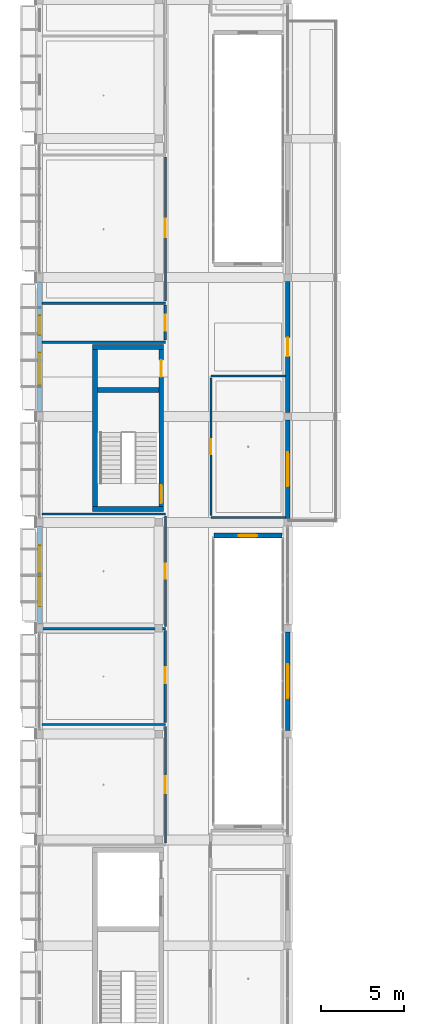
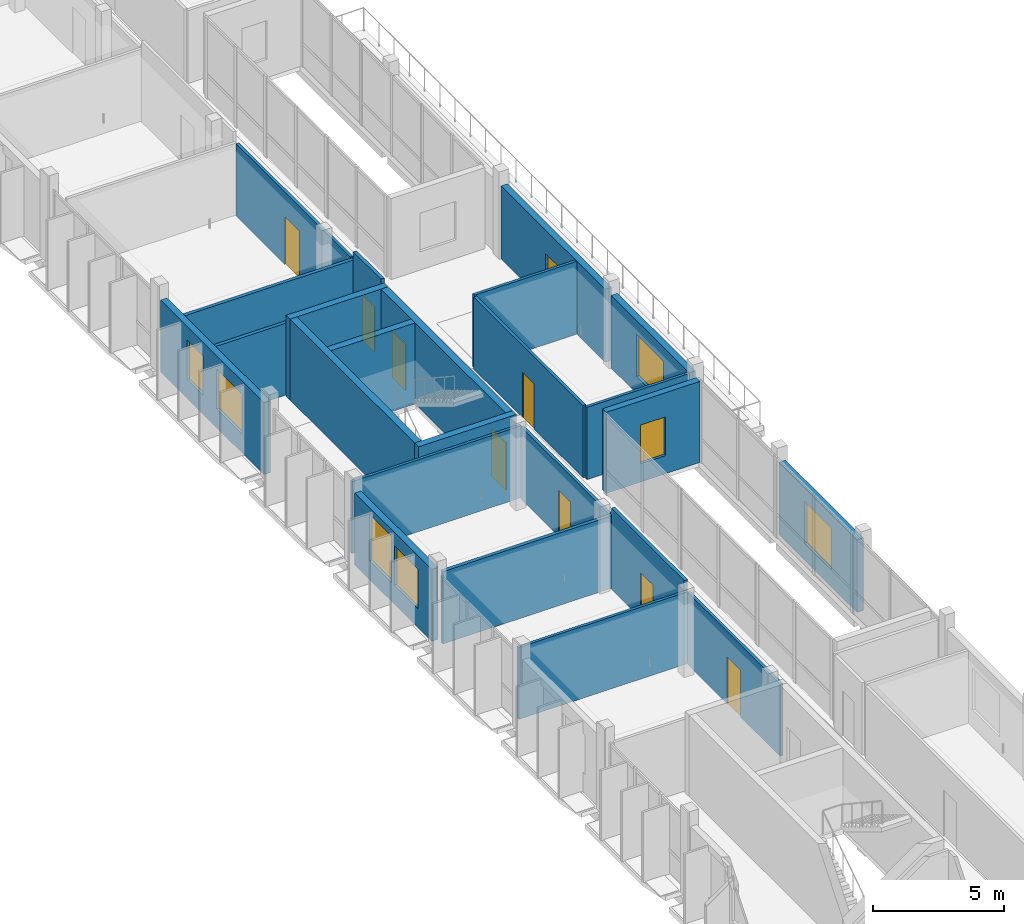
# One storey, part 23 of 48: 24 walls, 9 doors, 7 windows, 16 openings.
"""IFC4 building model written with IfcOpenShell, lengths in metres."""

from ifc_helpers import new_model, si_unit, derived_unit, direction, frame, frame_2d, origin, origin_with_axes, place, context, subcontext, project, spatial, rectangle, extrude, material, layer, layer_set, type_object, element, fill, save


model = new_model("IFC4")

# Units and contexts
model_context = context("Model", 3, precision=1e-05, world=origin(), true_north=direction((0.0, 1.0)))
body_context = subcontext(model_context, "Body", "Model", "MODEL_VIEW")
ifc_project = project(units=[si_unit("LENGTHUNIT", "METRE"), si_unit("AREAUNIT", "SQUARE_METRE"), si_unit("VOLUMEUNIT", "CUBIC_METRE"), si_unit("PLANEANGLEUNIT", "RADIAN"), si_unit("MASSUNIT", "GRAM", prefix="KILO"), derived_unit("THERMALTRANSMITTANCEUNIT", [(si_unit("POWERUNIT", "WATT"), 1), (si_unit("LENGTHUNIT", "METRE"), -2), (si_unit("THERMODYNAMICTEMPERATUREUNIT", "KELVIN"), -1)])], contexts=[model_context])

# Site, building, storey
site_placement = place(None, origin())
site = spatial("IfcSite", under=ifc_project, at=site_placement, CompositionType="ELEMENT")
building_placement = place(site_placement, origin())
building = spatial("IfcBuilding", under=site, at=building_placement, Name="Braskholm Square Health Centre", CompositionType="ELEMENT")
storey_placement = place(building_placement, frame((0.0, 0.0, 17.550048828125)))
storey = spatial("IfcBuildingStorey", under=building, at=storey_placement, Name="L05", CompositionType="ELEMENT", Elevation=17.550048828125)

# Wall, opening, door
ifc_material_1 = material(Name="Acoustic gypsum board partition")
ifc_layer_1 = layer(ifc_material_1, 0.125)
ifc_layer_set_1 = layer_set([ifc_layer_1], Name="Acoustic gypsum board partition")
wall_type_1 = type_object("IfcWallType", Name="ClinicalExamPartition125", PredefinedType="PARTITIONING", material=ifc_layer_set_1)
wall_1_placement = place(storey_placement, frame((11.800048828125, 29.6201171875, 0.0), z_axis=(0.0, 0.0, 1.0), x_axis=(0.0, 1.0, 0.0)))
wall_1 = element("IfcWall", 1, at=wall_1_placement, inside=storey, type_object=wall_type_1, Name="Interior partition PWALL-L05-0207", PredefinedType="PARTITIONING", context=body_context, shape_type="SweptSolid", body=[
    extrude(rectangle(XDim=7.039794921875, YDim=0.125, at=frame_2d((3.52001953125, 0.0))), origin(), (0.0, 0.0, 1.0), 3.364990234375),
])
opening_1_placement = place(wall_1_placement, frame((3.010009765625, 0.0, 0.0)))
opening_1 = element("IfcOpeningElement", 2, at=opening_1_placement, cuts=wall_1, Name="Opening D-25", PredefinedType="OPENING", context=body_context, shape_type="SweptSolid", body=[
    extrude(rectangle(XDim=1.02001953125, YDim=2.179931640625, at=frame_2d((0.510009765625, 1.08984375))), frame((0.0, 0.072509765625, 0.0), z_axis=(0.0, -1.0, 0.0), x_axis=(1.0, 0.0, 0.0)), (0.0, 0.0, 1.0), 0.14501953125),
])
ifc_material_2 = material(Name="Architectural bronze anodised aluminium", Category="aluminium")
door_type_1 = type_object("IfcDoorType", Name="DoorConsultWide1020x2180", OperationType="NOTDEFINED", PredefinedType="DOOR", material=ifc_material_2)
door_1_placement = place(opening_1_placement, origin_with_axes())
door_1 = element("IfcDoor", 3, at=door_1_placement, inside=storey, type_object=door_type_1, Name="Interior door 0096 L05", OperationType="SINGLE_SWING_RIGHT", OverallHeight=2.179931640625, OverallWidth=1.02001953125, PredefinedType="DOOR", context=body_context, shape_type="SweptSolid", body=[
    extrude(rectangle(XDim=1.02001953125, YDim=2.179931640625, at=frame_2d((0.510009765625, 1.08984375))), frame((0.0, 0.02490234375, 0.0), z_axis=(0.0, -1.0, 0.0), x_axis=(1.0, 0.0, 0.0)), (0.0, 0.0, 1.0), 0.050048828125),
])
fill(opening_1, door_1)

# Wall
wall_2_placement = place(storey_placement, frame((4.340087890625, 36.780029296875, 0.0), z_axis=(0.0, 0.0, 1.0), x_axis=(1.0, 0.0, 0.0)))
element("IfcWall", 4, at=wall_2_placement, inside=storey, type_object=wall_type_1, Name="Interior partition PWALL-L05-0208", PredefinedType="PARTITIONING", context=body_context, shape_type="SweptSolid", body=[
    extrude(rectangle(XDim=7.4599609375, YDim=0.125, at=frame_2d((3.72998046875, 0.0))), origin(), (0.0, 0.0, 1.0), 3.344970703125),
])

# Wall, opening, door
wall_3_placement = place(storey_placement, frame((11.800048828125, 42.699951171875, 0.0), z_axis=(0.0, 0.0, 1.0), x_axis=(0.0, 1.0, 0.0)))
wall_3 = element("IfcWall", 5, at=wall_3_placement, inside=storey, type_object=wall_type_1, Name="Interior partition PWALL-L05-0212", PredefinedType="PARTITIONING", context=body_context, shape_type="SweptSolid", body=[
    extrude(rectangle(XDim=6.679931640625, YDim=0.125, at=frame_2d((3.33984375, 0.0))), origin(), (0.0, 0.0, 1.0), 3.364990234375),
])
opening_2_placement = place(wall_3_placement, frame((2.8798828125, 0.0, 0.0)))
opening_2 = element("IfcOpeningElement", 6, at=opening_2_placement, cuts=wall_3, Name="Opening D-01", PredefinedType="OPENING", context=body_context, shape_type="SweptSolid", body=[
    extrude(rectangle(XDim=0.919921875, YDim=2.14990234375, at=frame_2d((0.4599609375, 1.074951171875))), frame((0.0, 0.072509765625, 0.0), z_axis=(0.0, -1.0, 0.0), x_axis=(1.0, 0.0, 0.0)), (0.0, 0.0, 1.0), 0.14501953125),
])
door_type_2 = type_object("IfcDoorType", Name="DoorConsultSingle920x2150", OperationType="NOTDEFINED", PredefinedType="DOOR", material=ifc_material_2)
door_2_placement = place(opening_2_placement, origin_with_axes())
door_2 = element("IfcDoor", 7, at=door_2_placement, inside=storey, type_object=door_type_2, Name="Interior door 0098 L05", OperationType="SINGLE_SWING_RIGHT", OverallHeight=2.14990234375, OverallWidth=0.919921875, PredefinedType="DOOR", context=body_context, shape_type="SweptSolid", body=[
    extrude(rectangle(XDim=0.919921875, YDim=2.14990234375, at=frame_2d((0.4599609375, 1.074951171875))), frame((0.0, 0.02490234375, 0.0), z_axis=(0.0, -1.0, 0.0), x_axis=(1.0, 0.0, 0.0)), (0.0, 0.0, 1.0), 0.050048828125),
])
fill(opening_2, door_2)

# Wall
wall_4_placement = place(storey_placement, frame((4.340087890625, 49.5, 0.0), z_axis=(0.0, 0.0, 1.0), x_axis=(1.0, 0.0, 0.0)))
element("IfcWall", 8, at=wall_4_placement, inside=storey, type_object=wall_type_1, Name="Interior partition PWALL-L05-0213", PredefinedType="PARTITIONING", context=body_context, shape_type="SweptSolid", body=[
    extrude(rectangle(XDim=7.4599609375, YDim=0.125, at=frame_2d((3.72998046875, 0.0))), origin(), (0.0, 0.0, 1.0), 3.344970703125),
])

# Wall, opening, door
wall_5_placement = place(storey_placement, frame((11.800048828125, 62.3701171875, 0.0), z_axis=(0.0, 0.0, 1.0), x_axis=(0.0, 1.0, 0.0)))
wall_5 = element("IfcWall", 9, at=wall_5_placement, inside=storey, type_object=wall_type_1, Name="Interior partition PWALL-L05-0217", PredefinedType="PARTITIONING", context=body_context, shape_type="SweptSolid", body=[
    extrude(rectangle(XDim=8.7099609375, YDim=0.125, at=frame_2d((4.35498046875, 0.0))), origin(), (0.0, 0.0, 1.0), 3.364990234375),
])
opening_3_placement = place(wall_5_placement, frame((3.860107421875, 0.0, 0.0)))
opening_3 = element("IfcOpeningElement", 10, at=opening_3_placement, cuts=wall_5, Name="Opening D-26", PredefinedType="OPENING", context=body_context, shape_type="SweptSolid", body=[
    extrude(rectangle(XDim=1.139892578125, YDim=2.219970703125, at=frame_2d((0.56982421875, 1.10986328125))), frame((0.0, 0.072509765625, 0.0), z_axis=(0.0, -1.0, 0.0), x_axis=(1.0, 0.0, 0.0)), (0.0, 0.0, 1.0), 0.14501953125),
])
door_type_3 = type_object("IfcDoorType", Name="DoorExamWide1140x2220", OperationType="NOTDEFINED", PredefinedType="DOOR", material=ifc_material_2)
door_3_placement = place(opening_3_placement, origin_with_axes())
door_3 = element("IfcDoor", 11, at=door_3_placement, inside=storey, type_object=door_type_3, Name="Interior door 0100 L05", OperationType="SINGLE_SWING_RIGHT", OverallHeight=2.219970703125, OverallWidth=1.139892578125, PredefinedType="DOOR", context=body_context, shape_type="SweptSolid", body=[
    extrude(rectangle(XDim=1.139892578125, YDim=2.219970703125, at=frame_2d((0.56982421875, 1.10986328125))), frame((0.0, 0.02490234375, 0.0), z_axis=(0.0, -1.0, 0.0), x_axis=(1.0, 0.0, 0.0)), (0.0, 0.0, 1.0), 0.050048828125),
])
fill(opening_3, door_3)

wall_6_placement = place(storey_placement, frame((14.550048828125, 49.39990234375, 0.0), z_axis=(0.0, 0.0, 1.0), x_axis=(0.0, 1.0, 0.0)))
wall_6 = element("IfcWall", 12, at=wall_6_placement, inside=storey, type_object=wall_type_1, Name="Interior partition PWALL-L05-0233", PredefinedType="PARTITIONING", context=body_context, shape_type="SweptSolid", body=[
    extrude(rectangle(XDim=8.330078125, YDim=0.125, at=frame_2d((4.1650390625, 0.0))), origin(), (0.0, 0.0, 1.0), 3.364990234375),
])
opening_4_placement = place(wall_6_placement, frame((3.715087890625, 0.0, 0.0)))
opening_4 = element("IfcOpeningElement", 13, at=opening_4_placement, cuts=wall_6, Name="Opening D-07", PredefinedType="OPENING", context=body_context, shape_type="SweptSolid", body=[
    extrude(rectangle(XDim=0.89990234375, YDim=2.1201171875, at=frame_2d((0.449951171875, 1.06005859375))), frame((0.0, 0.072509765625, 0.0), z_axis=(0.0, -1.0, 0.0), x_axis=(1.0, 0.0, 0.0)), (0.0, 0.0, 1.0), 0.14501953125),
])
door_type_4 = type_object("IfcDoorType", Name="DoorProviderOffice900x2120", OperationType="NOTDEFINED", PredefinedType="DOOR", material=ifc_material_2)
door_4_placement = place(opening_4_placement, frame((0.89990234375, 0.0, 0.0), z_axis=(0.0, 0.0, 1.0), x_axis=(-1.0, 0.0, 0.0)))
door_4 = element("IfcDoor", 14, at=door_4_placement, inside=storey, type_object=door_type_4, Name="Interior door 0108 L05", OperationType="SINGLE_SWING_RIGHT", OverallHeight=2.1201171875, OverallWidth=0.89990234375, PredefinedType="DOOR", context=body_context, shape_type="SweptSolid", body=[
    extrude(rectangle(XDim=0.89990234375, YDim=2.1201171875, at=frame_2d((0.449951171875, 1.06005859375))), frame((0.0, 0.02490234375, 0.0), z_axis=(0.0, -1.0, 0.0), x_axis=(1.0, 0.0, 0.0)), (0.0, 0.0, 1.0), 0.050048828125),
])
fill(opening_4, door_4)

# Walls
wall_7_placement = place(storey_placement, frame((14.550048828125, 49.280029296875, 0.0), z_axis=(0.0, 0.0, 1.0), x_axis=(1.0, 0.0, 0.0)))
element("IfcWall", 15, at=wall_7_placement, inside=storey, type_object=wall_type_1, Name="Interior partition PWALL-L05-0234", PredefinedType="PARTITIONING", context=body_context, shape_type="SweptSolid", body=[
    extrude(rectangle(XDim=4.510009765625, YDim=0.125, at=frame_2d((2.2548828125, 0.0))), origin(), (0.0, 0.0, 1.0), 3.364990234375),
])
wall_8_placement = place(storey_placement, frame((14.550048828125, 57.85009765625, 0.0), z_axis=(0.0, 0.0, 1.0), x_axis=(1.0, 0.0, 0.0)))
element("IfcWall", 16, at=wall_8_placement, inside=storey, type_object=wall_type_1, Name="Interior partition PWALL-L05-0235", PredefinedType="PARTITIONING", context=body_context, shape_type="SweptSolid", body=[
    extrude(rectangle(XDim=4.510009765625, YDim=0.125, at=frame_2d((2.2548828125, 0.0))), origin(), (0.0, 0.0, 1.0), 3.385009765625),
])

# Wall, opening, door
ifc_layer_2 = layer(ifc_material_1, 0.14990234375)
ifc_layer_set_2 = layer_set([ifc_layer_2], Name="Acoustic gypsum board partition")
wall_type_2 = type_object("IfcWallType", Name="CorridorAcousticPartition150", PredefinedType="PARTITIONING", material=ifc_layer_set_2)
wall_9_placement = place(storey_placement, frame((11.800048828125, 36.89990234375, 0.0), z_axis=(0.0, 0.0, 1.0), x_axis=(0.0, 1.0, 0.0)))
wall_9 = element("IfcWall", 17, at=wall_9_placement, inside=storey, type_object=wall_type_2, Name="Interior partition PWALL-L05-0210", PredefinedType="PARTITIONING", context=body_context, shape_type="SweptSolid", body=[
    extrude(rectangle(XDim=5.56005859375, YDim=0.14990234375, at=frame_2d((2.780029296875, 0.0))), origin(), (0.0, 0.0, 1.0), 3.764892578125),
])
opening_5_placement = place(wall_9_placement, frame((2.364990234375, 0.0, 0.0)))
opening_5 = element("IfcOpeningElement", 18, at=opening_5_placement, cuts=wall_9, Name="Opening D-10", PredefinedType="OPENING", context=body_context, shape_type="SweptSolid", body=[
    extrude(rectangle(XDim=0.97998046875, YDim=2.1201171875, at=frame_2d((0.489990234375, 1.06005859375))), frame((0.0, 0.0849609375, 0.0), z_axis=(0.0, -1.0, 0.0), x_axis=(1.0, 0.0, 0.0)), (0.0, 0.0, 1.0), 0.169921875),
])
door_type_5 = type_object("IfcDoorType", Name="DoorUtilityStore980x2120", OperationType="NOTDEFINED", PredefinedType="DOOR", material=ifc_material_2)
door_5_placement = place(opening_5_placement, origin_with_axes())
door_5 = element("IfcDoor", 19, at=door_5_placement, inside=storey, type_object=door_type_5, Name="Interior door 0097 L05", OperationType="SINGLE_SWING_LEFT", OverallHeight=2.1201171875, OverallWidth=0.97998046875, PredefinedType="DOOR", context=body_context, shape_type="SweptSolid", body=[
    extrude(rectangle(XDim=0.97998046875, YDim=2.1201171875, at=frame_2d((0.489990234375, 1.06005859375))), frame((0.0, 0.02490234375, 0.0), z_axis=(0.0, -1.0, 0.0), x_axis=(1.0, 0.0, 0.0)), (0.0, 0.0, 1.0), 0.050048828125),
])
fill(opening_5, door_5)

# Wall
wall_10_placement = place(storey_placement, frame((4.340087890625, 42.580078125, 0.0), z_axis=(0.0, 0.0, 1.0), x_axis=(1.0, 0.0, 0.0)))
element("IfcWall", 20, at=wall_10_placement, inside=storey, type_object=wall_type_2, Name="Interior partition PWALL-L05-0211", PredefinedType="PARTITIONING", context=body_context, shape_type="SweptSolid", body=[
    extrude(rectangle(XDim=7.4599609375, YDim=0.14990234375, at=frame_2d((3.72998046875, 0.0))), origin(), (0.0, 0.0, 1.0), 3.364990234375),
])

# Wall, opening, door
wall_11_placement = place(storey_placement, frame((11.800048828125, 60.02001953125, 0.0), z_axis=(0.0, 0.0, 1.0), x_axis=(0.0, 1.0, 0.0)))
wall_11 = element("IfcWall", 21, at=wall_11_placement, inside=storey, type_object=wall_type_2, Name="Interior partition PWALL-L05-0214", PredefinedType="PARTITIONING", context=body_context, shape_type="SweptSolid", body=[
    extrude(rectangle(XDim=2.10986328125, YDim=0.14990234375, at=frame_2d((1.054931640625, 0.0))), origin(), (0.0, 0.0, 1.0), 3.764892578125),
])
opening_6_placement = place(wall_11_placement, frame((0.574951171875, 0.0, 0.0)))
opening_6 = element("IfcOpeningElement", 22, at=opening_6_placement, cuts=wall_11, Name="Opening D-05", PredefinedType="OPENING", context=body_context, shape_type="SweptSolid", body=[
    extrude(rectangle(XDim=0.9599609375, YDim=2.10009765625, at=frame_2d((0.47998046875, 1.050048828125))), frame((0.0, 0.0849609375, 0.0), z_axis=(0.0, -1.0, 0.0), x_axis=(1.0, 0.0, 0.0)), (0.0, 0.0, 1.0), 0.169921875),
])
door_type_6 = type_object("IfcDoorType", Name="DoorAccessibleWC960x2100", OperationType="NOTDEFINED", PredefinedType="DOOR", material=ifc_material_2)
door_6_placement = place(opening_6_placement, origin_with_axes())
door_6 = element("IfcDoor", 23, at=door_6_placement, inside=storey, type_object=door_type_6, Name="Interior door 0099 L05", OperationType="SINGLE_SWING_LEFT", OverallHeight=2.10009765625, OverallWidth=0.9599609375, PredefinedType="DOOR", context=body_context, shape_type="SweptSolid", body=[
    extrude(rectangle(XDim=0.9599609375, YDim=2.10009765625, at=frame_2d((0.47998046875, 1.050048828125))), frame((0.0, 0.02490234375, 0.0), z_axis=(0.0, -1.0, 0.0), x_axis=(1.0, 0.0, 0.0)), (0.0, 0.0, 1.0), 0.050048828125),
])
fill(opening_6, door_6)

# Walls
for number, where, z_axis, x_axis, name in (
    (24, (4.340087890625, 62.25, 0.0), (0.0, 0.0, 1.0), (1.0, 0.0, 0.0), "Interior partition PWALL-L05-0215"),
    (25, (4.340087890625, 59.89990234375, 0.0), (0.0, 0.0, 1.0), (1.0, 0.0, 0.0), "Interior partition PWALL-L05-0216"),
):
    element("IfcWall", number, at=place(storey_placement, frame(where, z_axis=z_axis, x_axis=x_axis)), inside=storey, type_object=wall_type_2, Name=name, PredefinedType="PARTITIONING", context=body_context, shape_type="SweptSolid", body=[
        extrude(rectangle(XDim=7.4599609375, YDim=0.14990234375, at=frame_2d((3.72998046875, 0.0))), origin(), (0.0, 0.0, 1.0), 3.344970703125),
    ])

# Wall, openings, windows
ifc_material_3 = material(Name="Precast concrete C40/50 architectural white", Category="concrete")
ifc_layer_3 = layer(ifc_material_3, 0.280029296875)
ifc_layer_set_3 = layer_set([ifc_layer_3], Name="Precast concrete C40/50 architectural white")
wall_type_3 = type_object("IfcWallType", Name="ExteriorPrecastSpandrelWall280", PredefinedType="SOLIDWALL", material=ifc_layer_set_3)
wall_12_placement = place(storey_placement, frame((4.199951171875, 48.738037109375, 0.0), z_axis=(0.0, 0.0, 1.0), x_axis=(0.0, -1.0, 0.0)))
wall_12 = element("IfcWall", 26, at=wall_12_placement, inside=storey, type_object=wall_type_3, Name="Exterior wall EWALL-L05-0039", PredefinedType="SOLIDWALL", context=body_context, shape_type="SweptSolid", body=[
    extrude(rectangle(XDim=5.8759765625, YDim=0.280029296875, at=frame_2d((2.93798828125, 0.0))), origin(), (0.0, 0.0, 1.0), 3.349853515625),
])
opening_7_placement = place(wall_12_placement, frame((1.12890625, 0.0, 0.8798828125)))
opening_7 = element("IfcOpeningElement", 27, at=opening_7_placement, cuts=wall_12, Name="Opening WN-41", PredefinedType="OPENING", context=body_context, shape_type="SweptSolid", body=[
    extrude(rectangle(XDim=1.659912109375, YDim=2.14990234375, at=frame_2d((0.830078125, 1.074951171875))), frame((0.0, 0.14990234375, 0.0), z_axis=(0.0, -1.0, 0.0), x_axis=(1.0, 0.0, 0.0)), (0.0, 0.0, 1.0), 0.300048828125),
])
opening_8_placement = place(wall_12_placement, frame((3.01708984375, 0.0, 0.8798828125)))
opening_8 = element("IfcOpeningElement", 28, at=opening_8_placement, cuts=wall_12, Name="Opening WN-11", PredefinedType="OPENING", context=body_context, shape_type="SweptSolid", body=[
    extrude(rectangle(XDim=1.800048828125, YDim=1.85009765625, at=frame_2d((0.89990234375, 0.925048828125))), frame((0.0, 0.14990234375, 0.0), z_axis=(0.0, -1.0, 0.0), x_axis=(1.0, 0.0, 0.0)), (0.0, 0.0, 1.0), 0.300048828125),
])
ifc_material_4 = material(Name="Low-E triple insulating glass (VLT 0.64)", Category="glass")
window_type_1 = type_object("IfcWindowType", Name="WinArtDecoTall1660x2150", PartitioningType="SINGLE_PANEL", PredefinedType="WINDOW", material=ifc_material_4)
window_1_placement = place(opening_7_placement, origin_with_axes())
window_1 = element("IfcWindow", 29, at=window_1_placement, inside=storey, type_object=window_type_1, Name="Exterior window 0073 L05", OverallHeight=2.14990234375, OverallWidth=1.659912109375, PartitioningType="SINGLE_PANEL", PredefinedType="WINDOW", context=body_context, shape_type="SweptSolid", body=[
    extrude(rectangle(XDim=1.659912109375, YDim=2.14990234375, at=frame_2d((0.830078125, 1.074951171875))), frame((0.0, 0.030029296875, 0.0), z_axis=(0.0, -1.0, 0.0), x_axis=(1.0, 0.0, 0.0)), (0.0, 0.0, 1.0), 0.06005859375),
])
fill(opening_7, window_1)
window_type_2 = type_object("IfcWindowType", Name="WinClinicalBay1800x1850", PartitioningType="SINGLE_PANEL", PredefinedType="WINDOW", material=ifc_material_4)
window_2_placement = place(opening_8_placement, origin_with_axes())
window_2 = element("IfcWindow", 30, at=window_2_placement, inside=storey, type_object=window_type_2, Name="Exterior window 0074 L05", OverallHeight=1.85009765625, OverallWidth=1.800048828125, PartitioningType="SINGLE_PANEL", PredefinedType="WINDOW", context=body_context, shape_type="SweptSolid", body=[
    extrude(rectangle(XDim=1.800048828125, YDim=1.85009765625, at=frame_2d((0.89990234375, 0.925048828125))), frame((0.0, 0.030029296875, 0.0), z_axis=(0.0, -1.0, 0.0), x_axis=(1.0, 0.0, 0.0)), (0.0, 0.0, 1.0), 0.06005859375),
])
fill(opening_8, window_2)

wall_13_placement = place(storey_placement, frame((4.199951171875, 63.5380859375, 0.0), z_axis=(0.0, 0.0, 1.0), x_axis=(0.0, -1.0, 0.0)))
wall_13 = element("IfcWall", 31, at=wall_13_placement, inside=storey, type_object=wall_type_3, Name="Exterior wall EWALL-L05-0040", PredefinedType="SOLIDWALL", context=body_context, shape_type="SweptSolid", body=[
    extrude(rectangle(XDim=7.8759765625, YDim=0.280029296875, at=frame_2d((3.93798828125, 0.0))), origin(), (0.0, 0.0, 1.0), 3.349853515625),
])
opening_9_placement = place(wall_13_placement, frame((2.02490234375, 0.0, 0.8798828125)))
opening_9 = element("IfcOpeningElement", 32, at=opening_9_placement, cuts=wall_13, Name="Opening WN-07", PredefinedType="OPENING", context=body_context, shape_type="SweptSolid", body=[
    extrude(rectangle(XDim=1.199951171875, YDim=1.85009765625, at=frame_2d((0.60009765625, 0.925048828125))), frame((0.0, 0.14990234375, 0.0), z_axis=(0.0, -1.0, 0.0), x_axis=(1.0, 0.0, 0.0)), (0.0, 0.0, 1.0), 0.300048828125),
])
opening_10_placement = place(wall_13_placement, frame((4.27587890625, 0.0, 0.8798828125)))
opening_10 = element("IfcOpeningElement", 33, at=opening_10_placement, cuts=wall_13, Name="Opening WN-12", PredefinedType="OPENING", context=body_context, shape_type="SweptSolid", body=[
    extrude(rectangle(XDim=1.949951171875, YDim=1.85009765625, at=frame_2d((0.97509765625, 0.925048828125))), frame((0.0, 0.14990234375, 0.0), z_axis=(0.0, -1.0, 0.0), x_axis=(1.0, 0.0, 0.0)), (0.0, 0.0, 1.0), 0.300048828125),
])
window_type_3 = type_object("IfcWindowType", Name="WinClinicalBay1200x1850", PartitioningType="SINGLE_PANEL", PredefinedType="WINDOW", material=ifc_material_4)
window_3_placement = place(opening_9_placement, origin_with_axes())
window_3 = element("IfcWindow", 34, at=window_3_placement, inside=storey, type_object=window_type_3, Name="Exterior window 0075 L05", OverallHeight=1.85009765625, OverallWidth=1.199951171875, PartitioningType="SINGLE_PANEL", PredefinedType="WINDOW", context=body_context, shape_type="SweptSolid", body=[
    extrude(rectangle(XDim=1.199951171875, YDim=1.85009765625, at=frame_2d((0.60009765625, 0.925048828125))), frame((0.0, 0.030029296875, 0.0), z_axis=(0.0, -1.0, 0.0), x_axis=(1.0, 0.0, 0.0)), (0.0, 0.0, 1.0), 0.06005859375),
])
fill(opening_9, window_3)
window_type_4 = type_object("IfcWindowType", Name="WinClinicalBay1950x1850", PartitioningType="SINGLE_PANEL", PredefinedType="WINDOW", material=ifc_material_4)
window_4_placement = place(opening_10_placement, origin_with_axes())
window_4 = element("IfcWindow", 35, at=window_4_placement, inside=storey, type_object=window_type_4, Name="Exterior window 0076 L05", OverallHeight=1.85009765625, OverallWidth=1.949951171875, PartitioningType="SINGLE_PANEL", PredefinedType="WINDOW", context=body_context, shape_type="SweptSolid", body=[
    extrude(rectangle(XDim=1.949951171875, YDim=1.85009765625, at=frame_2d((0.97509765625, 0.925048828125))), frame((0.0, 0.030029296875, 0.0), z_axis=(0.0, -1.0, 0.0), x_axis=(1.0, 0.0, 0.0)), (0.0, 0.0, 1.0), 0.06005859375),
])
fill(opening_10, window_4)

# Wall, opening, window
wall_14_placement = place(storey_placement, frame((19.199951171875, 36.427001953125, 0.0), z_axis=(0.0, 0.0, 1.0), x_axis=(0.0, 1.0, 0.0)))
wall_14 = element("IfcWall", 36, at=wall_14_placement, inside=storey, type_object=wall_type_3, Name="Exterior wall EWALL-L05-0142", PredefinedType="SOLIDWALL", context=body_context, shape_type="SweptSolid", body=[
    extrude(rectangle(XDim=5.946044921875, YDim=0.280029296875, at=frame_2d((2.97314453125, 0.0))), origin(), (0.0, 0.0, 1.0), 3.389892578125),
])
opening_11_placement = place(wall_14_placement, frame((1.947998046875, 0.0, 0.800048828125)))
opening_11 = element("IfcOpeningElement", 37, at=opening_11_placement, cuts=wall_14, Name="Opening WN-25", PredefinedType="OPENING", context=body_context, shape_type="SweptSolid", body=[
    extrude(rectangle(XDim=2.050048828125, YDim=1.949951171875, at=frame_2d((1.02490234375, 0.97509765625))), frame((0.0, 0.14990234375, 0.0), z_axis=(0.0, -1.0, 0.0), x_axis=(1.0, 0.0, 0.0)), (0.0, 0.0, 1.0), 0.300048828125),
])
window_type_5 = type_object("IfcWindowType", Name="WinValleyTerrace2050x1950", PartitioningType="SINGLE_PANEL", PredefinedType="WINDOW", material=ifc_material_4)
window_5_placement = place(opening_11_placement, origin_with_axes())
window_5 = element("IfcWindow", 38, at=window_5_placement, inside=storey, type_object=window_type_5, Name="Exterior window 0202 L05", OverallHeight=1.949951171875, OverallWidth=2.050048828125, PartitioningType="SINGLE_PANEL", PredefinedType="WINDOW", context=body_context, shape_type="SweptSolid", body=[
    extrude(rectangle(XDim=2.050048828125, YDim=1.949951171875, at=frame_2d((1.02490234375, 0.97509765625))), frame((0.0, 0.030029296875, 0.0), z_axis=(0.0, -1.0, 0.0), x_axis=(1.0, 0.0, 0.0)), (0.0, 0.0, 1.0), 0.06005859375),
])
fill(opening_11, window_5)

wall_15_placement = place(storey_placement, frame((19.199951171875, 49.22705078125, 0.0), z_axis=(0.0, 0.0, 1.0), x_axis=(0.0, 1.0, 0.0)))
wall_15 = element("IfcWall", 39, at=wall_15_placement, inside=storey, type_object=wall_type_3, Name="Exterior wall EWALL-L05-0143", PredefinedType="SOLIDWALL", context=body_context, shape_type="SweptSolid", body=[
    extrude(rectangle(XDim=5.946044921875, YDim=0.280029296875, at=frame_2d((2.97314453125, 0.0))), origin(), (0.0, 0.0, 1.0), 3.389892578125),
])
opening_12_placement = place(wall_15_placement, frame((1.947998046875, 0.0, 0.800048828125)))
opening_12 = element("IfcOpeningElement", 40, at=opening_12_placement, cuts=wall_15, Name="Opening WN-25", PredefinedType="OPENING", context=body_context, shape_type="SweptSolid", body=[
    extrude(rectangle(XDim=2.050048828125, YDim=1.949951171875, at=frame_2d((1.02490234375, 0.97509765625))), frame((0.0, 0.14990234375, 0.0), z_axis=(0.0, -1.0, 0.0), x_axis=(1.0, 0.0, 0.0)), (0.0, 0.0, 1.0), 0.300048828125),
])
window_6_placement = place(opening_12_placement, origin_with_axes())
window_6 = element("IfcWindow", 41, at=window_6_placement, inside=storey, type_object=window_type_5, Name="Exterior window 0203 L05", OverallHeight=1.949951171875, OverallWidth=2.050048828125, PartitioningType="SINGLE_PANEL", PredefinedType="WINDOW", context=body_context, shape_type="SweptSolid", body=[
    extrude(rectangle(XDim=2.050048828125, YDim=1.949951171875, at=frame_2d((1.02490234375, 0.97509765625))), frame((0.0, 0.030029296875, 0.0), z_axis=(0.0, -1.0, 0.0), x_axis=(1.0, 0.0, 0.0)), (0.0, 0.0, 1.0), 0.06005859375),
])
fill(opening_12, window_6)

# Wall, opening, door
wall_16_placement = place(storey_placement, frame((19.199951171875, 55.626953125, 0.0), z_axis=(0.0, 0.0, 1.0), x_axis=(0.0, 1.0, 0.0)))
wall_16 = element("IfcWall", 42, at=wall_16_placement, inside=storey, type_object=wall_type_3, Name="Exterior wall EWALL-L05-0144", PredefinedType="SOLIDWALL", context=body_context, shape_type="SweptSolid", body=[
    extrude(rectangle(XDim=7.946044921875, YDim=0.280029296875, at=frame_2d((3.97314453125, 0.0))), origin(), (0.0, 0.0, 1.0), 3.389892578125),
])
opening_13_placement = place(wall_16_placement, frame((3.403076171875, 0.0, 0.0)))
opening_13 = element("IfcOpeningElement", 43, at=opening_13_placement, cuts=wall_16, Name="Opening D-T1", PredefinedType="OPENING", context=body_context, shape_type="SweptSolid", body=[
    extrude(rectangle(XDim=1.139892578125, YDim=2.300048828125, at=frame_2d((0.56982421875, 1.14990234375))), frame((0.0, 0.14990234375, 0.0), z_axis=(0.0, -1.0, 0.0), x_axis=(1.0, 0.0, 0.0)), (0.0, 0.0, 1.0), 0.300048828125),
])
door_type_7 = type_object("IfcDoorType", Name="DoorPlantedTerrace1140x2300", OperationType="NOTDEFINED", PredefinedType="DOOR", material=ifc_material_4)
door_7_placement = place(opening_13_placement, frame((1.139892578125, 0.0, 0.0), z_axis=(0.0, 0.0, 1.0), x_axis=(-1.0, 0.0, 0.0)))
door_7 = element("IfcDoor", 44, at=door_7_placement, inside=storey, type_object=door_type_7, Name="Exterior door 0019 L05", OperationType="SINGLE_SWING_LEFT", OverallHeight=2.300048828125, OverallWidth=1.139892578125, PredefinedType="DOOR", context=body_context, shape_type="SweptSolid", body=[
    extrude(rectangle(XDim=1.139892578125, YDim=2.300048828125, at=frame_2d((0.56982421875, 1.14990234375))), frame((0.0, 0.02490234375, 0.0), z_axis=(0.0, -1.0, 0.0), x_axis=(1.0, 0.0, 0.0)), (0.0, 0.0, 1.0), 0.050048828125),
])
fill(opening_13, door_7)

# Wall, opening, window
wall_17_placement = place(storey_placement, frame((14.73388671875, 48.199951171875, 0.0), z_axis=(0.0, 0.0, 1.0), x_axis=(1.0, 0.0, 0.0)))
wall_17 = element("IfcWall", 45, at=wall_17_placement, inside=storey, type_object=wall_type_3, Name="Exterior wall EWALL-L05-0292", PredefinedType="SOLIDWALL", context=body_context, shape_type="SweptSolid", body=[
    extrude(rectangle(XDim=4.132080078125, YDim=0.280029296875, at=frame_2d((2.06591796875, 0.0))), origin(), (0.0, 0.0, 1.0), 3.77001953125),
])
opening_14_placement = place(wall_17_placement, frame((1.51611328125, 0.0, 0.85009765625)))
opening_14 = element("IfcOpeningElement", 46, at=opening_14_placement, cuts=wall_17, Name="Opening WN-26", PredefinedType="OPENING", context=body_context, shape_type="SweptSolid", body=[
    extrude(rectangle(XDim=1.10009765625, YDim=1.800048828125, at=frame_2d((0.550048828125, 0.89990234375))), frame((0.0, 0.14990234375, 0.0), z_axis=(0.0, -1.0, 0.0), x_axis=(1.0, 0.0, 0.0)), (0.0, 0.0, 1.0), 0.300048828125),
])
window_type_6 = type_object("IfcWindowType", Name="WinLightCourt1100x1800", PartitioningType="SINGLE_PANEL", PredefinedType="WINDOW", material=ifc_material_4)
window_7_placement = place(opening_14_placement, origin_with_axes())
window_7 = element("IfcWindow", 47, at=window_7_placement, inside=storey, type_object=window_type_6, Name="Exterior window 0338 L05", OverallHeight=1.800048828125, OverallWidth=1.10009765625, PartitioningType="SINGLE_PANEL", PredefinedType="WINDOW", context=body_context, shape_type="SweptSolid", body=[
    extrude(rectangle(XDim=1.10009765625, YDim=1.800048828125, at=frame_2d((0.550048828125, 0.89990234375))), frame((0.0, 0.030029296875, 0.0), z_axis=(0.0, -1.0, 0.0), x_axis=(1.0, 0.0, 0.0)), (0.0, 0.0, 1.0), 0.06005859375),
])
fill(opening_14, window_7)

# Walls
ifc_material_5 = material(Name="Concrete C40/50 (f'c = 40 MPa)", Category="concrete")
ifc_layer_4 = layer(ifc_material_5, 0.300048828125)
ifc_layer_set_4 = layer_set([ifc_layer_4], Name="Concrete C40/50 (f'c = 40 MPa)")
wall_type_4 = type_object("IfcWallType", Name="ShearCoreWall300", PredefinedType="SHEAR", material=ifc_layer_set_4)
for number, where, z_axis, x_axis, name in (
    (48, (7.39990234375, 49.800048828125, 0.0), (0.0, 0.0, 1.0), (1.0, 0.0, 0.0), "CWALL-K2-L05 south wall"),
    (49, (11.699951171875, 59.60009765625, 0.0), (0.0, 0.0, 1.0), (-1.0, 0.0, 0.0), "CWALL-K2-L05 north wall"),
):
    element("IfcWall", number, at=place(storey_placement, frame(where, z_axis=z_axis, x_axis=x_axis)), inside=storey, type_object=wall_type_4, Name=name, PredefinedType="SHEAR", context=body_context, shape_type="SweptSolid", body=[
        extrude(rectangle(XDim=4.300048828125, YDim=0.300048828125, at=frame_2d((2.14990234375, 0.0))), origin(), (0.0, 0.0, 1.0), 3.77001953125),
    ])
wall_18_placement = place(storey_placement, frame((7.550048828125, 59.449951171875, 0.0), z_axis=(0.0, 0.0, 1.0), x_axis=(0.0, -1.0, 0.0)))
element("IfcWall", 50, at=wall_18_placement, inside=storey, type_object=wall_type_4, Name="CWALL-K2-L05 west wall", PredefinedType="SHEAR", context=body_context, shape_type="SweptSolid", body=[
    extrude(rectangle(XDim=9.5, YDim=0.300048828125, at=frame_2d((4.75, 0.0))), origin(), (0.0, 0.0, 1.0), 3.77001953125),
])

# Wall, openings, doors
wall_19_placement = place(storey_placement, frame((11.550048828125, 49.949951171875, 0.0), z_axis=(0.0, 0.0, 1.0), x_axis=(0.0, 1.0, 0.0)))
wall_19 = element("IfcWall", 51, at=wall_19_placement, inside=storey, type_object=wall_type_4, Name="CWALL-K2-L05 east wall", PredefinedType="SHEAR", context=body_context, shape_type="SweptSolid", body=[
    extrude(rectangle(XDim=9.5, YDim=0.300048828125, at=frame_2d((4.75, 0.0))), origin(), (0.0, 0.0, 1.0), 3.77001953125),
])
opening_15_placement = place(wall_19_placement, frame((0.199951171875, 0.0, 0.0)))
opening_15 = element("IfcOpeningElement", 52, at=opening_15_placement, cuts=wall_19, Name="Opening D-22", PredefinedType="OPENING", context=body_context, shape_type="SweptSolid", body=[
    extrude(rectangle(XDim=1.10009765625, YDim=2.199951171875, at=frame_2d((0.550048828125, 1.10009765625))), frame((0.0, 0.16015625, 0.0), z_axis=(0.0, -1.0, 0.0), x_axis=(1.0, 0.0, 0.0)), (0.0, 0.0, 1.0), 0.320068359375),
])
opening_16_placement = place(wall_19_placement, frame((7.840087890625, 0.0, 0.0)))
opening_16 = element("IfcOpeningElement", 53, at=opening_16_placement, cuts=wall_19, Name="Opening LD-2", PredefinedType="OPENING", context=body_context, shape_type="SweptSolid", body=[
    extrude(rectangle(XDim=1.02001953125, YDim=2.14990234375, at=frame_2d((0.510009765625, 1.074951171875))), frame((0.0, 0.16015625, 0.0), z_axis=(0.0, -1.0, 0.0), x_axis=(1.0, 0.0, 0.0)), (0.0, 0.0, 1.0), 0.320068359375),
])
door_type_8 = type_object("IfcDoorType", Name="DoorLiftLandingPassenger1020x2150", OperationType="SLIDING_TO_LEFT", PredefinedType="DOOR", material=ifc_material_2)
door_8_placement = place(opening_16_placement, origin_with_axes())
door_8 = element("IfcDoor", 54, at=door_8_placement, inside=storey, type_object=door_type_8, Name="Elevator EL-04 sliding landing door L05", OperationType="SLIDING_TO_LEFT", OverallHeight=2.14990234375, OverallWidth=1.02001953125, PredefinedType="DOOR", context=body_context, shape_type="SweptSolid", body=[
    extrude(rectangle(XDim=1.02001953125, YDim=2.14990234375, at=frame_2d((0.510009765625, 1.074951171875))), frame((0.0, 0.02490234375, 0.0), z_axis=(0.0, -1.0, 0.0), x_axis=(1.0, 0.0, 0.0)), (0.0, 0.0, 1.0), 0.050048828125),
])
fill(opening_16, door_8)
door_type_9 = type_object("IfcDoorType", Name="DoorStairEnclosure1100x2200", OperationType="NOTDEFINED", PredefinedType="DOOR", material=ifc_material_2)
door_9_placement = place(opening_15_placement, origin_with_axes())
door_9 = element("IfcDoor", 55, at=door_9_placement, inside=storey, type_object=door_type_9, Name="Stair ST-02 door L05", OperationType="SINGLE_SWING_RIGHT", OverallHeight=2.199951171875, OverallWidth=1.10009765625, PredefinedType="DOOR", context=body_context, shape_type="SweptSolid", body=[
    extrude(rectangle(XDim=1.10009765625, YDim=2.199951171875, at=frame_2d((0.550048828125, 1.10009765625))), frame((0.0, 0.02490234375, 0.0), z_axis=(0.0, -1.0, 0.0), x_axis=(1.0, 0.0, 0.0)), (0.0, 0.0, 1.0), 0.050048828125),
])
fill(opening_15, door_9)

# Wall
wall_20_placement = place(storey_placement, frame((7.699951171875, 57.0, 0.0), z_axis=(0.0, 0.0, 1.0), x_axis=(1.0, 0.0, 0.0)))
element("IfcWall", 56, at=wall_20_placement, inside=storey, type_object=wall_type_4, Name="Core K2 internal shear divider L05", PredefinedType="SHEAR", context=body_context, shape_type="SweptSolid", body=[
    extrude(rectangle(XDim=3.699951171875, YDim=0.300048828125, at=frame_2d((1.85009765625, 0.0))), origin(), (0.0, 0.0, 1.0), 3.77001953125),
])

save(model, "model.ifc")
